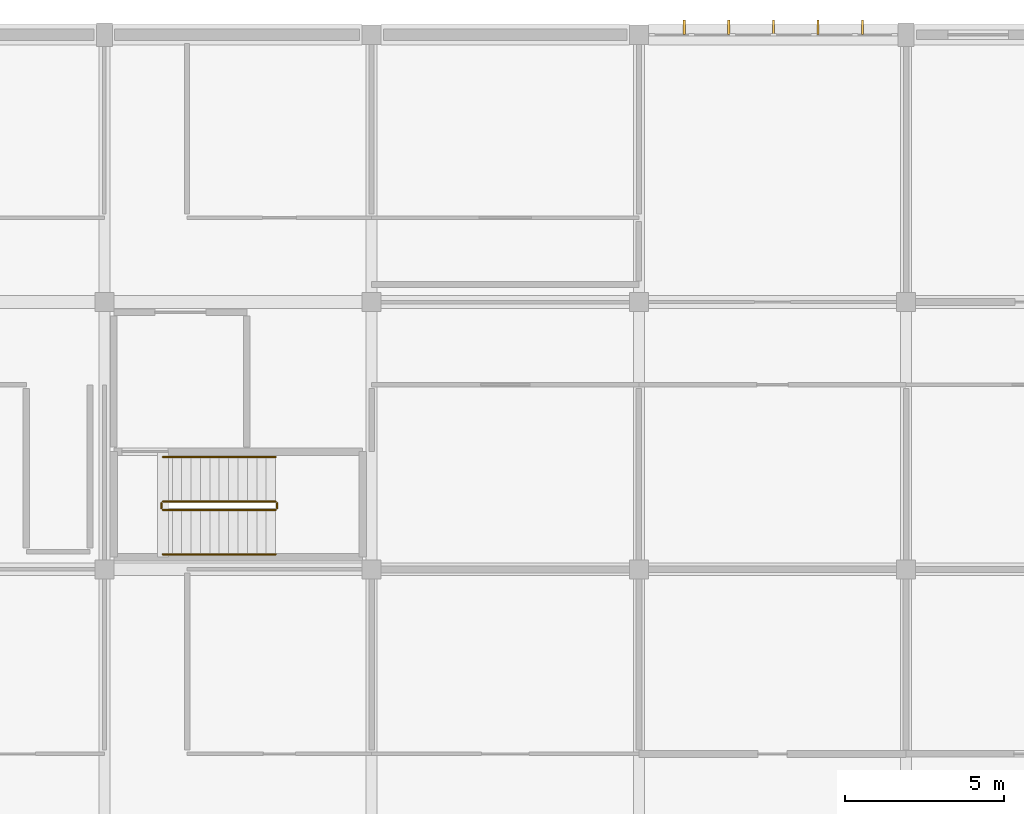
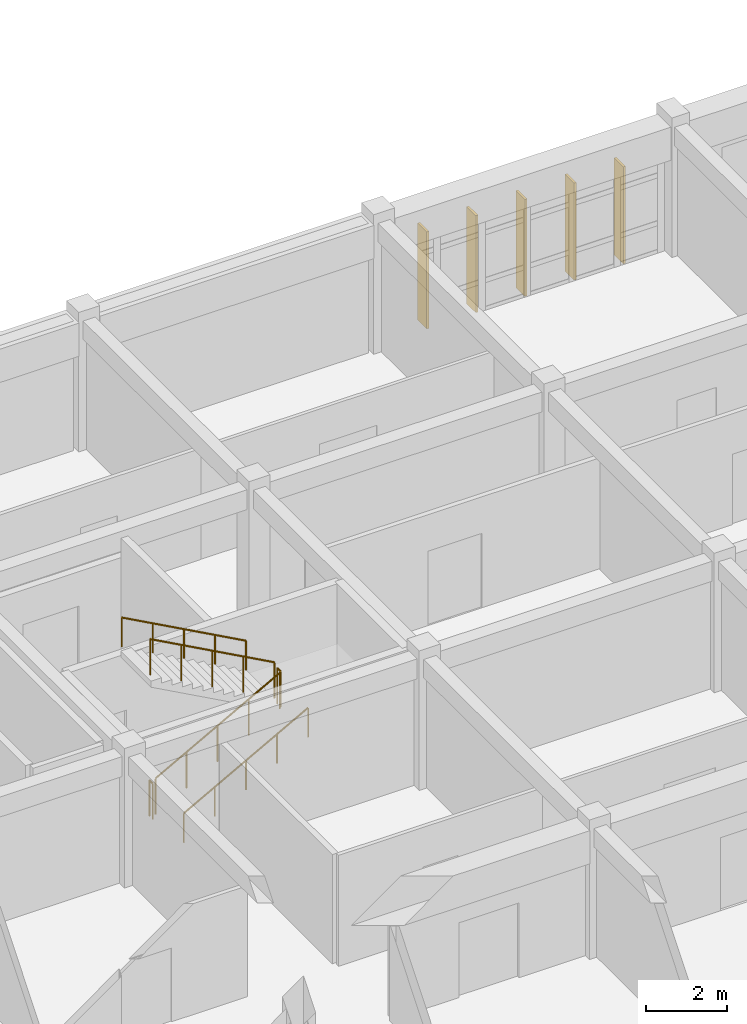
# One storey, part 118 of 119: 6 railings, 5 shading devices.
"""IFC4 building model written with IfcOpenShell, lengths in metres."""

from ifc_helpers import new_model, si_unit, direction, frame, origin, origin_2d, place, context, subcontext, project, spatial, rectangle, circle, extrude, material, material_profile, profile_set, type_object, element, save


model = new_model("IFC4")

# Units and contexts
model_context = context("Model", 3, precision=1e-05, world=origin(), true_north=direction((0.0, 1.0)))
body_context = subcontext(model_context, "Body", "Model", "MODEL_VIEW")
ifc_project = project(units=[si_unit("LENGTHUNIT", "METRE"), si_unit("AREAUNIT", "SQUARE_METRE"), si_unit("VOLUMEUNIT", "CUBIC_METRE"), si_unit("PLANEANGLEUNIT", "RADIAN"), si_unit("MASSUNIT", "GRAM", prefix="KILO")], contexts=[model_context])

# Site, building, storey
site_placement = place(None, origin())
site = spatial("IfcSite", under=ifc_project, at=site_placement, CompositionType="ELEMENT")
building_placement = place(site_placement, origin())
building = spatial("IfcBuilding", under=site, at=building_placement, Name="Bramfleet General Hospital", CompositionType="ELEMENT")
storey_placement = place(building_placement, frame((0.0, 0.0, 14.39990234375)))
storey = spatial("IfcBuildingStorey", under=building, at=storey_placement, Name="L03", CompositionType="ELEMENT", Elevation=14.39990234375)

# Railings
ifc_material_1 = material(Name="Powder-coated steel stair balustrade", Category="steel")
railing_type_1 = type_object("IfcRailingType", Name="RAIL-ST-GUARD", PredefinedType="GUARDRAIL", material=ifc_material_1)
railing_1_placement = place(storey_placement, frame((136.239990234375, 102.669921875, 0.16162109375)))
element("IfcRailing", 1, at=railing_1_placement, inside=storey, type_object=railing_type_1, Name="L03 ST-C9 stair guard 1", PredefinedType="GUARDRAIL", context=body_context, shape_type="SweptSolid", body=[
    extrude(circle(Radius=0.02392578125, at=origin_2d()), frame((0.0, 0.0, 1.076171875), z_axis=(0.877108402541, 0.0, 0.480292463185), x_axis=(0.0, 1.0, 0.0)), (0.0, 0.0, 1.0), 4.0361328125),
    extrude(circle(Radius=0.02099609375, at=origin_2d()), origin(), (0.0, 0.0, 1.0), 1.052001953125),
    extrude(circle(Radius=0.02099609375, at=origin_2d()), frame((0.885009765625, 0.0, 0.484619140625)), (0.0, 0.0, 1.0), 1.052001953125),
    extrude(circle(Radius=0.02099609375, at=origin_2d()), frame((1.77001953125, 0.0, 0.96923828125)), (0.0, 0.0, 1.0), 1.052001953125),
    extrude(circle(Radius=0.02099609375, at=origin_2d()), frame((2.655029296875, 0.0, 1.453857421875)), (0.0, 0.0, 1.0), 1.052001953125),
    extrude(circle(Radius=0.02099609375, at=origin_2d()), frame((3.5400390625, 0.0, 1.9384765625)), (0.0, 0.0, 1.0), 1.052001953125),
])
railing_2_placement = place(storey_placement, frame((139.830078125, 102.719970703125, 2.10009765625)))
element("IfcRailing", 2, at=railing_2_placement, inside=storey, type_object=railing_type_1, Name="L03 ST-C9 stair guard 2", PredefinedType="GUARDRAIL", context=body_context, shape_type="SweptSolid", body=[
    extrude(circle(Radius=0.02392578125, at=origin_2d()), frame((0.0, 0.0, 1.076171875), z_axis=(0.0, 1.0, 0.0), x_axis=(-1.0, 0.0, 0.0)), (0.0, 0.0, 1.0), 0.159912109375),
    extrude(circle(Radius=0.02099609375, at=origin_2d()), origin(), (0.0, 0.0, 1.0), 1.052001953125),
    extrude(circle(Radius=0.02099609375, at=origin_2d()), frame((0.0, 0.159912109375, 0.0)), (0.0, 0.0, 1.0), 1.052001953125),
])
railing_3_placement = place(storey_placement, frame((139.780029296875, 102.929931640625, 2.26171875)))
element("IfcRailing", 3, at=railing_3_placement, inside=storey, type_object=railing_type_1, Name="L03 ST-C9 stair guard 3", PredefinedType="GUARDRAIL", context=body_context, shape_type="SweptSolid", body=[
    extrude(circle(Radius=0.02392578125, at=origin_2d()), frame((0.0, 0.0, 1.076171875), z_axis=(-0.877108402541, 0.0, 0.480292463185), x_axis=(0.0, -1.0, 0.0)), (0.0, 0.0, 1.0), 4.0361328125),
    extrude(circle(Radius=0.02099609375, at=origin_2d()), origin(), (0.0, 0.0, 1.0), 1.052001953125),
    extrude(circle(Radius=0.02099609375, at=origin_2d()), frame((-0.885009765625, 0.0, 0.484619140625)), (0.0, 0.0, 1.0), 1.052001953125),
    extrude(circle(Radius=0.02099609375, at=origin_2d()), frame((-1.77001953125, 0.0, 0.96923828125)), (0.0, 0.0, 1.0), 1.052001953125),
    extrude(circle(Radius=0.02099609375, at=origin_2d()), frame((-2.655029296875, 0.0, 1.453857421875)), (0.0, 0.0, 1.0), 1.052001953125),
    extrude(circle(Radius=0.02099609375, at=origin_2d()), frame((-3.5400390625, 0.0, 1.9384765625)), (0.0, 0.0, 1.0), 1.052001953125),
])
railing_4_placement = place(storey_placement, frame((136.18994140625, 102.719970703125, 0.0)))
element("IfcRailing", 4, at=railing_4_placement, inside=storey, type_object=railing_type_1, Name="L03 ST-C9 stair guard 4", PredefinedType="GUARDRAIL", context=body_context, shape_type="SweptSolid", body=[
    extrude(circle(Radius=0.02392578125, at=origin_2d()), frame((0.0, 0.0, 1.076171875), z_axis=(0.0, 1.0, 0.0), x_axis=(-1.0, 0.0, 0.0)), (0.0, 0.0, 1.0), 0.159912109375),
    extrude(circle(Radius=0.02099609375, at=origin_2d()), origin(), (0.0, 0.0, 1.0), 1.052001953125),
    extrude(circle(Radius=0.02099609375, at=origin_2d()), frame((0.0, 0.159912109375, 0.0)), (0.0, 0.0, 1.0), 1.052001953125),
])
ifc_material_2 = material(Name="Stainless steel 1.4301 stair handrail", Category="steel")
railing_type_2 = type_object("IfcRailingType", Name="RAIL-ST-HND", PredefinedType="HANDRAIL", material=ifc_material_2)
railing_5_placement = place(storey_placement, frame((136.239990234375, 101.27001953125, 0.16162109375)))
element("IfcRailing", 5, at=railing_5_placement, inside=storey, type_object=railing_type_2, Name="L03 ST-C9 stair handrail 1", PredefinedType="HANDRAIL", context=body_context, shape_type="SweptSolid", body=[
    extrude(circle(Radius=0.02392578125, at=origin_2d()), frame((0.0, 0.0, 0.8759765625), z_axis=(0.877108402541, 0.0, 0.480292463185), x_axis=(0.0, 1.0, 0.0)), (0.0, 0.0, 1.0), 4.0361328125),
    extrude(circle(Radius=0.02099609375, at=origin_2d()), origin(), (0.0, 0.0, 1.0), 0.851806640625),
    extrude(circle(Radius=0.02099609375, at=origin_2d()), frame((0.885009765625, 0.0, 0.484619140625)), (0.0, 0.0, 1.0), 0.851806640625),
    extrude(circle(Radius=0.02099609375, at=origin_2d()), frame((1.77001953125, 0.0, 0.96923828125)), (0.0, 0.0, 1.0), 0.851806640625),
    extrude(circle(Radius=0.02099609375, at=origin_2d()), frame((2.655029296875, 0.0, 1.453857421875)), (0.0, 0.0, 1.0), 0.851806640625),
    extrude(circle(Radius=0.02099609375, at=origin_2d()), frame((3.5400390625, 0.0, 1.9384765625)), (0.0, 0.0, 1.0), 0.851806640625),
])
railing_6_placement = place(storey_placement, frame((139.780029296875, 104.330078125, 2.26171875)))
element("IfcRailing", 6, at=railing_6_placement, inside=storey, type_object=railing_type_2, Name="L03 ST-C9 stair handrail 2", PredefinedType="HANDRAIL", context=body_context, shape_type="SweptSolid", body=[
    extrude(circle(Radius=0.02392578125, at=origin_2d()), frame((0.0, 0.0, 0.8759765625), z_axis=(-0.877108402541, 0.0, 0.480292463185), x_axis=(0.0, -1.0, 0.0)), (0.0, 0.0, 1.0), 4.0361328125),
    extrude(circle(Radius=0.02099609375, at=origin_2d()), origin(), (0.0, 0.0, 1.0), 0.851806640625),
    extrude(circle(Radius=0.02099609375, at=origin_2d()), frame((-0.885009765625, 0.0, 0.484619140625)), (0.0, 0.0, 1.0), 0.851806640625),
    extrude(circle(Radius=0.02099609375, at=origin_2d()), frame((-1.77001953125, 0.0, 0.96923828125)), (0.0, 0.0, 1.0), 0.851806640625),
    extrude(circle(Radius=0.02099609375, at=origin_2d()), frame((-2.655029296875, 0.0, 1.453857421875)), (0.0, 0.0, 1.0), 0.851806640625),
    extrude(circle(Radius=0.02099609375, at=origin_2d()), frame((-3.5400390625, 0.0, 1.9384765625)), (0.0, 0.0, 1.0), 0.851806640625),
])

# Shading devices
ifc_material_3 = material(Name="Treated European larch timber", Category="wood")
ifc_material_profile = material_profile(ifc_material_3, rectangle(XDim=0.06494140625, YDim=0.449951171875, at=origin_2d()), Name="LARCH FIN 450x65")
ifc_profile_set = profile_set([ifc_material_profile], Name="Treated European larch timber")
shading_device_type = type_object("IfcShadingDeviceType", Name="SHD-FIN-450", PredefinedType="USERDEFINED", material=ifc_profile_set)
for number, where, z_axis, x_axis, name in (
    (7, (152.625, 117.840087890625, -0.02001953125), (0.0, 0.0, 1.0), (1.0, 0.0, 0.0), "L03 Larch Timber Shading Fin 544"),
    (8, (154.02490234375, 117.840087890625, -0.02001953125), (0.0, 0.0, 1.0), (1.0, 0.0, 0.0), "L03 Larch Timber Shading Fin 545"),
    (9, (155.425048828125, 117.840087890625, -0.02001953125), (0.0, 0.0, 1.0), (1.0, 0.0, 0.0), "L03 Larch Timber Shading Fin 546"),
    (10, (156.824951171875, 117.840087890625, -0.02001953125), (0.0, 0.0, 1.0), (1.0, 0.0, 0.0), "L03 Larch Timber Shading Fin 547"),
    (11, (158.22509765625, 117.840087890625, -0.02001953125), (0.0, 0.0, 1.0), (1.0, 0.0, 0.0), "L03 Larch Timber Shading Fin 548"),
):
    element("IfcShadingDevice", number, at=place(storey_placement, frame(where, z_axis=z_axis, x_axis=x_axis)), inside=storey, type_object=shading_device_type, Name=name, ObjectType="Fin", PredefinedType="USERDEFINED", context=body_context, shape_type="SweptSolid", body=[
        extrude(rectangle(XDim=0.06494140625, YDim=0.449951171875, at=origin_2d()), origin(), (0.0, 0.0, 1.0), 2.920166015625),
    ])

save(model, "model.ifc")
